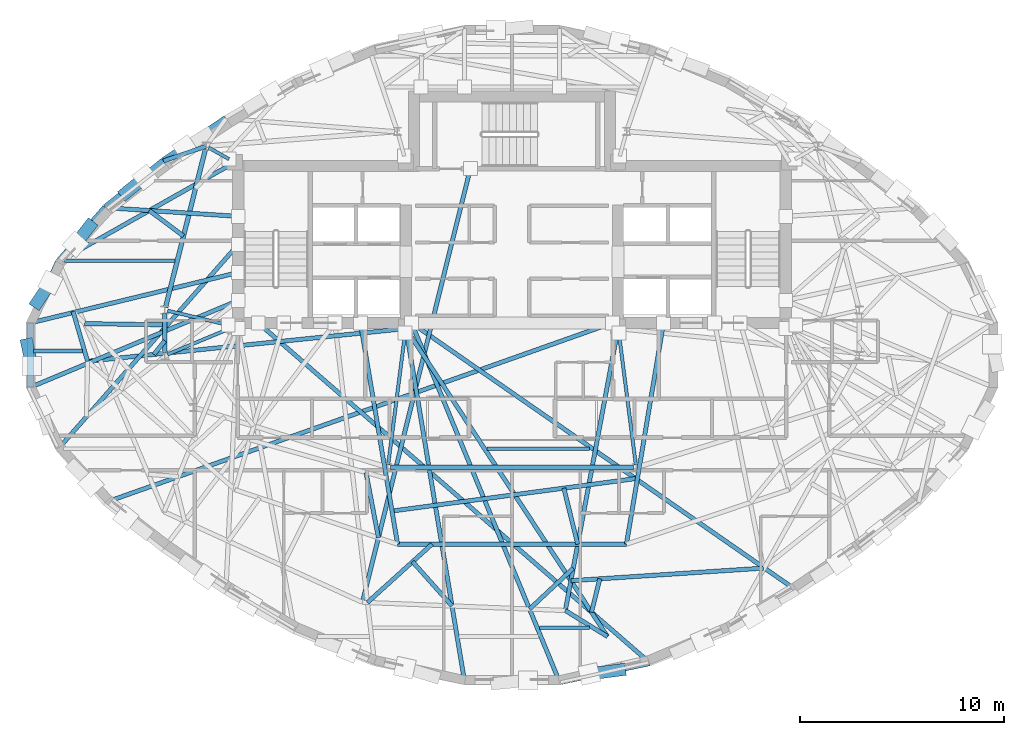
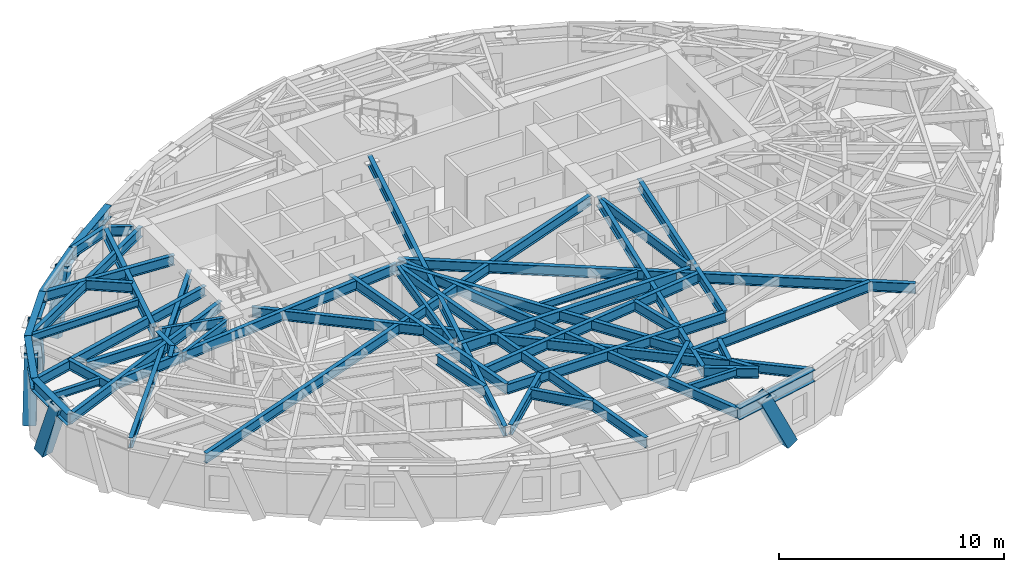
# One storey, part 2 of 13: 49 beams, 5 members.
"""IFC4 building model written with IfcOpenShell, lengths in metres."""

from ifc_helpers import new_model, si_unit, direction, frame, origin, origin_2d, place, context, subcontext, project, spatial, hollow_rectangle, i_section, extrude, material, material_profile, profile_set, type_object, element, save


model = new_model("IFC4")

# Units and contexts
model_context = context("Model", 3, precision=1e-05, world=origin(), true_north=direction((0.0, 1.0)))
body_context = subcontext(model_context, "Body", "Model", "MODEL_VIEW")
ifc_project = project(units=[si_unit("LENGTHUNIT", "METRE"), si_unit("AREAUNIT", "SQUARE_METRE"), si_unit("VOLUMEUNIT", "CUBIC_METRE"), si_unit("PLANEANGLEUNIT", "RADIAN"), si_unit("MASSUNIT", "GRAM", prefix="KILO")], contexts=[model_context])

# Site, building, storey
site_placement = place(None, origin())
site = spatial("IfcSite", under=ifc_project, at=site_placement, CompositionType="ELEMENT")
building_placement = place(site_placement, origin())
building = spatial("IfcBuilding", under=site, at=building_placement, Name="Keldmark Tower", CompositionType="ELEMENT")
storey_placement = place(building_placement, frame((0.0, 0.0, 210.0)))
storey = spatial("IfcBuildingStorey", under=building, at=storey_placement, Name="L58", CompositionType="ELEMENT", Elevation=210.0)

# Beams
ifc_material_1 = material(Name="Steel ASTM A992 Grade 50", Category="steel")
ifc_material_profile_1 = material_profile(ifc_material_1, i_section(OverallWidth=0.177978515625, OverallDepth=0.403076171875, WebThickness=0.007568359375, FlangeThickness=0.010986328125, at=origin_2d()), Name="W16X36")
ifc_profile_set_1 = profile_set([ifc_material_profile_1], Name="Steel ASTM A992 Grade 50")
beam_type_1 = type_object("IfcBeamType", Name="Composite Floor Joist W16X36", PredefinedType="JOIST", material=ifc_profile_set_1)
beam_1_placement = place(storey_placement, frame((1.34423828125, -13.3798828125, 2.7685546875), z_axis=(1.0, 0.0, 0.0), x_axis=(0.0, 1.0, 0.0)))
element("IfcBeam", 1, at=beam_1_placement, inside=storey, type_object=beam_type_1, Name="L58 Composite Floor Joist J04", PredefinedType="JOIST", context=body_context, shape_type="SweptSolid", body=[
    extrude(i_section(OverallWidth=0.177978515625, OverallDepth=0.403076171875, WebThickness=0.007568359375, FlangeThickness=0.010986328125, at=origin_2d()), origin(), (0.0, 0.0, 1.0), 2.4638671875),
])
beam_2_placement = place(storey_placement, frame((-1.224853515625, -4.60009765625, 2.7685546875), z_axis=(1.0, 0.0, 0.0), x_axis=(0.0, 1.0, 0.0)))
element("IfcBeam", 2, at=beam_2_placement, inside=storey, type_object=beam_type_1, Name="L58 Composite Floor Joist J06", PredefinedType="JOIST", context=body_context, shape_type="SweptSolid", body=[
    extrude(i_section(OverallWidth=0.177978515625, OverallDepth=0.403076171875, WebThickness=0.007568359375, FlangeThickness=0.010986328125, at=origin_2d()), origin(), (0.0, 0.0, 1.0), 5.01513671875),
])
beam_3_placement = place(storey_placement, frame((-23.45458984375, 0.199951171875, 2.7685546875), z_axis=(1.0, 0.0, 0.0), x_axis=(0.0, 1.0, 0.0)))
element("IfcBeam", 3, at=beam_3_placement, inside=storey, type_object=beam_type_1, Name="L58 Composite Floor Joist J07", PredefinedType="JOIST", context=body_context, shape_type="SweptSolid", body=[
    extrude(i_section(OverallWidth=0.177978515625, OverallDepth=0.403076171875, WebThickness=0.007568359375, FlangeThickness=0.010986328125, at=origin_2d()), origin(), (0.0, 0.0, 1.0), 2.394287109375),
])
beam_4_placement = place(storey_placement, frame((-21.951171875, 4.6201171875, 2.7685546875), z_axis=(1.0, 0.0, 0.0), x_axis=(0.0, 1.0, 0.0)))
element("IfcBeam", 4, at=beam_4_placement, inside=storey, type_object=beam_type_1, Name="L58 Composite Floor Joist J08", PredefinedType="JOIST", context=body_context, shape_type="SweptSolid", body=[
    extrude(i_section(OverallWidth=0.177978515625, OverallDepth=0.403076171875, WebThickness=0.007568359375, FlangeThickness=0.010986328125, at=origin_2d()), origin(), (0.0, 0.0, 1.0), 5.42626953125),
])

# Members
ifc_material_2 = material(Name="Steel ASTM A572 Grade 50", Category="steel")
ifc_material_profile_2 = material_profile(ifc_material_2, hollow_rectangle(XDim=0.60009765625, YDim=0.60009765625, WallThickness=0.034912109375, at=origin_2d()), Name="BOX600X600X35")
ifc_profile_set_2 = profile_set([ifc_material_profile_2], Name="Steel ASTM A572 Grade 50")
member_type = type_object("IfcMemberType", Name="Diagrid Zone 4 Brace BOX600X600X35", PredefinedType="BRACE", material=ifc_profile_set_2)
member_1_placement = place(storey_placement, frame((-18.940673828125, 7.9482421875, -0.260009765625), z_axis=(0.282566906812, 0.229708983494, 0.931337600485), x_axis=(-0.630796672763, 0.775948166846, 0.0)))
element("IfcMember", 5, at=member_1_placement, inside=storey, type_object=member_type, Name="L58 Perimeter Diagrid Brace 07A", PredefinedType="BRACE", context=body_context, shape_type="SweptSolid", body=[
    extrude(hollow_rectangle(XDim=0.60009765625, YDim=0.60009765625, WallThickness=0.034912109375, at=origin_2d()), origin(), (0.0, 0.0, 1.0), 3.33935546875),
])
member_2_placement = place(storey_placement, frame((-20.70703125, 6.3291015625, -0.260009765625), z_axis=(-0.213580141324, -0.271192997659, 0.938529637919), x_axis=(0.785614269888, -0.618716590167, 0.0)))
element("IfcMember", 6, at=member_2_placement, inside=storey, type_object=member_type, Name="L58 Perimeter Diagrid Brace 07B", PredefinedType="BRACE", context=body_context, shape_type="SweptSolid", body=[
    extrude(hollow_rectangle(XDim=0.60009765625, YDim=0.60009765625, WallThickness=0.034912109375, at=origin_2d()), origin(), (0.0, 0.0, 1.0), 3.313720703125),
])
member_3_placement = place(storey_placement, frame((-23.28662109375, 2.577880859375, -0.260009765625), z_axis=(0.196237076436, 0.294685980102, 0.935227877559), x_axis=(-0.832337294746, 0.554269454124, 0.0)))
element("IfcMember", 7, at=member_3_placement, inside=storey, type_object=member_type, Name="L58 Perimeter Diagrid Brace 08A", PredefinedType="BRACE", context=body_context, shape_type="SweptSolid", body=[
    extrude(hollow_rectangle(XDim=0.60009765625, YDim=0.60009765625, WallThickness=0.034912109375, at=origin_2d()), origin(), (0.0, 0.0, 1.0), 3.325439453125),
])
member_4_placement = place(storey_placement, frame((-23.7744140625, 0.52490234375, -0.260009765625), z_axis=(0.068370402706, -0.320866304241, 0.944653535873), x_axis=(0.978043233778, 0.208402094186, 0.0)))
element("IfcMember", 8, at=member_4_placement, inside=storey, type_object=member_type, Name="L58 Perimeter Diagrid Brace 08B", PredefinedType="BRACE", context=body_context, shape_type="SweptSolid", body=[
    extrude(hollow_rectangle(XDim=0.60009765625, YDim=0.60009765625, WallThickness=0.034912109375, at=origin_2d()), origin(), (0.0, 0.0, 1.0), 3.292236328125),
])
member_5_placement = place(storey_placement, frame((5.29931640625, -15.441162109375, -0.260009765625), z_axis=(-0.435283673901, -0.057971999343, 0.898424938727), x_axis=(0.132016439909, -0.991247526904, 0.0)))
element("IfcMember", 9, at=member_5_placement, inside=storey, type_object=member_type, Name="L58 Perimeter Diagrid Brace 13A", PredefinedType="BRACE", context=body_context, shape_type="SweptSolid", body=[
    extrude(hollow_rectangle(XDim=0.60009765625, YDim=0.60009765625, WallThickness=0.034912109375, at=origin_2d()), origin(), (0.0, 0.0, 1.0), 3.461669921875),
])

# Beams
ifc_material_3 = material(Name="Steel ASTM A992 Grade 50", Category="steel")
ifc_material_profile_3 = material_profile(ifc_material_3, i_section(OverallWidth=0.22802734375, OverallDepth=0.60302734375, WebThickness=0.010498046875, FlangeThickness=0.014892578125, at=origin_2d()), Name="W24X68")
ifc_profile_set_3 = profile_set([ifc_material_profile_3], Name="Steel ASTM A992 Grade 50")
beam_type_2 = type_object("IfcBeamType", Name="Primary Floor Girder W24X68", PredefinedType="BEAM", material=ifc_profile_set_3)
beam_5_placement = place(storey_placement, frame((-15.030029296875, 10.10791015625, 2.66845703125), z_axis=(-0.244902129455, -0.969547805417, 0.0), x_axis=(0.969547805417, -0.244902129455, 0.0)))
element("IfcBeam", 10, at=beam_5_placement, inside=storey, type_object=beam_type_2, Name="L58 Floor Ring Girder FG-R05", PredefinedType="BEAM", context=body_context, shape_type="SweptSolid", body=[
    extrude(i_section(OverallWidth=0.22802734375, OverallDepth=0.60302734375, WebThickness=0.010498046875, FlangeThickness=0.014892578125, at=origin_2d()), origin(), (0.0, 0.0, 1.0), 8.008056640625),
])
beam_6_placement = place(storey_placement, frame((-17.025634765625, 2.068115234375, 2.66845703125), z_axis=(0.0, -1.0, 0.0), x_axis=(1.0, 0.0, 0.0)))
element("IfcBeam", 11, at=beam_6_placement, inside=storey, type_object=beam_type_2, Name="L58 Floor Ring Girder FG-R06", PredefinedType="BEAM", context=body_context, shape_type="SweptSolid", body=[
    extrude(i_section(OverallWidth=0.22802734375, OverallDepth=0.60302734375, WebThickness=0.010498046875, FlangeThickness=0.014892578125, at=origin_2d()), origin(), (0.0, 0.0, 1.0), 1.9521484375),
])
beam_7_placement = place(storey_placement, frame((-5.949462890625, -5.512939453125, 2.66845703125), z_axis=(1.0, 0.0, 0.0), x_axis=(0.0, 1.0, 0.0)))
element("IfcBeam", 12, at=beam_7_placement, inside=storey, type_object=beam_type_2, Name="L58 Floor Ring Girder FG-R09", PredefinedType="BEAM", context=body_context, shape_type="SweptSolid", body=[
    extrude(i_section(OverallWidth=0.22802734375, OverallDepth=0.60302734375, WebThickness=0.010498046875, FlangeThickness=0.014892578125, at=origin_2d()), origin(), (0.0, 0.0, 1.0), 11.89892578125),
])
ifc_material_4 = material(Name="Steel ASTM A992 Grade 50", Category="steel")
ifc_material_profile_4 = material_profile(ifc_material_4, i_section(OverallWidth=0.166015625, OverallDepth=0.529052734375, WebThickness=0.009765625, FlangeThickness=0.013671875, at=origin_2d()), Name="W21X50")
ifc_profile_set_4 = profile_set([ifc_material_profile_4], Name="Steel ASTM A992 Grade 50")
beam_type_3 = type_object("IfcBeamType", Name="Radial Tie Girder W21X50", PredefinedType="BEAM", material=ifc_profile_set_4)
beam_8_placement = place(storey_placement, frame((-14.8740234375, 10.174560546875, 2.70556640625), z_axis=(0.869238046195, -0.494393789451, 0.0), x_axis=(0.494393789451, 0.869238046195, 0.0)))
element("IfcBeam", 13, at=beam_8_placement, inside=storey, type_object=beam_type_3, Name="L58 Floor Radial Girder FG-C05", PredefinedType="BEAM", context=body_context, shape_type="SweptSolid", body=[
    extrude(i_section(OverallWidth=0.166015625, OverallDepth=0.529052734375, WebThickness=0.009765625, FlangeThickness=0.013671875, at=origin_2d()), origin(), (0.0, 0.0, 1.0), 1.145751953125),
])
beam_9_placement = place(storey_placement, frame((-16.889404296875, 2.17578125, 2.70556640625), z_axis=(0.97329039005, -0.229577474147, 0.0), x_axis=(0.229577474147, 0.97329039005, 0.0)))
element("IfcBeam", 14, at=beam_9_placement, inside=storey, type_object=beam_type_3, Name="L58 Floor Radial Girder FG-C06", PredefinedType="BEAM", context=body_context, shape_type="SweptSolid", body=[
    extrude(i_section(OverallWidth=0.166015625, OverallDepth=0.529052734375, WebThickness=0.009765625, FlangeThickness=0.013671875, at=origin_2d()), origin(), (0.0, 0.0, 1.0), 3.0595703125),
])
beam_10_placement = place(storey_placement, frame((-16.896240234375, 0.02978515625, 2.70556640625), z_axis=(0.923403331902, 0.383831065226, 0.0), x_axis=(-0.383831065226, 0.923403331902, 0.0)))
element("IfcBeam", 15, at=beam_10_placement, inside=storey, type_object=beam_type_3, Name="L58 Floor Radial Girder FG-C07", PredefinedType="BEAM", context=body_context, shape_type="SweptSolid", body=[
    extrude(i_section(OverallWidth=0.166015625, OverallDepth=0.529052734375, WebThickness=0.009765625, FlangeThickness=0.013671875, at=origin_2d()), origin(), (0.0, 0.0, 1.0), 3.249755859375),
])
for number, where, z_axis, x_axis, name in (
    (16, (-6.071533203125, -5.3740234375, 2.70556640625), (0.127625044513, 0.991822488157, 0.0), (-0.991822488157, 0.127625044513, 0.0), "L58 Floor Radial Girder FG-C09"),
    (17, (6.071533203125, -5.3740234375, 2.70556640625), (-0.127625044513, 0.991822488157, 0.0), (-0.991822488157, -0.127625044513, 0.0), "L58 Floor Radial Girder FG-C10"),
):
    element("IfcBeam", number, at=place(storey_placement, frame(where, z_axis=z_axis, x_axis=x_axis)), inside=storey, type_object=beam_type_3, Name=name, PredefinedType="BEAM", context=body_context, shape_type="SweptSolid", body=[
        extrude(i_section(OverallWidth=0.166015625, OverallDepth=0.529052734375, WebThickness=0.009765625, FlangeThickness=0.013671875, at=origin_2d()), origin(), (0.0, 0.0, 1.0), 6.509765625),
    ])
ifc_material_5 = material(Name="Steel ASTM A992 Grade 50", Category="steel")
ifc_material_profile_5 = material_profile(ifc_material_5, i_section(OverallWidth=0.2099609375, OverallDepth=0.537109375, WebThickness=0.010986328125, FlangeThickness=0.017333984375, at=origin_2d()), Name="W21X68")
ifc_profile_set_5 = profile_set([ifc_material_profile_5], Name="Steel ASTM A992 Grade 50")
beam_type_4 = type_object("IfcBeamType", Name="Radial Tie Girder W21X68", PredefinedType="BEAM", material=ifc_profile_set_5)
beam_11_placement = place(storey_placement, frame((-17.025634765625, 0.70166015625, 2.701416015625), z_axis=(-0.623584243091, -0.781756158766, 0.0), x_axis=(0.781756158766, -0.623584243091, 0.0)))
element("IfcBeam", 18, at=beam_11_placement, inside=storey, type_object=beam_type_4, Name="L58 Framing Pin Header PH-001", PredefinedType="BEAM", context=body_context, shape_type="SweptSolid", body=[
    extrude(i_section(OverallWidth=0.2099609375, OverallDepth=0.537109375, WebThickness=0.010986328125, FlangeThickness=0.017333984375, at=origin_2d()), origin(), (0.0, 0.0, 1.0), 0.858154296875),
])
beam_12_placement = place(storey_placement, frame((-5.199951171875, 1.300048828125, 2.701416015625), z_axis=(-0.994769409136, -0.102146084839, 0.0), x_axis=(0.102146084839, -0.994769409136, 0.0)))
element("IfcBeam", 19, at=beam_12_placement, inside=storey, type_object=beam_type_4, Name="L58 Sub-Ring Step Girder STP1-M07", PredefinedType="BEAM", context=body_context, shape_type="SweptSolid", body=[
    extrude(i_section(OverallWidth=0.2099609375, OverallDepth=0.537109375, WebThickness=0.010986328125, FlangeThickness=0.017333984375, at=origin_2d()), origin(), (0.0, 0.0, 1.0), 15.69580078125),
])
beam_13_placement = place(storey_placement, frame((-7.43212890625, 1.574951171875, 2.701416015625), z_axis=(0.165575336656, -0.986197144536, 0.0), x_axis=(0.986197144536, 0.165575336656, 0.0)))
element("IfcBeam", 20, at=beam_13_placement, inside=storey, type_object=beam_type_4, Name="L58 Sub-Ring Step Girder STP1-M09", PredefinedType="BEAM", context=body_context, shape_type="SweptSolid", body=[
    extrude(i_section(OverallWidth=0.2099609375, OverallDepth=0.537109375, WebThickness=0.010986328125, FlangeThickness=0.017333984375, at=origin_2d()), origin(), (0.0, 0.0, 1.0), 11.004150390625),
])
beam_14_placement = place(storey_placement, frame((-5.88330078125, -7.6494140625, 2.701416015625), z_axis=(0.991241592519, 0.132060990683, 0.0), x_axis=(-0.132060990683, 0.991241592519, 0.0)))
element("IfcBeam", 21, at=beam_14_placement, inside=storey, type_object=beam_type_4, Name="L58 Framing Pin Header PH-004", PredefinedType="BEAM", context=body_context, shape_type="SweptSolid", body=[
    extrude(i_section(OverallWidth=0.2099609375, OverallDepth=0.537109375, WebThickness=0.010986328125, FlangeThickness=0.017333984375, at=origin_2d()), origin(), (0.0, 0.0, 1.0), 12.142333984375),
])
beam_15_placement = place(storey_placement, frame((7.43212890625, 1.574951171875, 2.701416015625), z_axis=(-0.165575336656, -0.986197144536, 0.0), x_axis=(0.986197144536, -0.165575336656, 0.0)))
element("IfcBeam", 22, at=beam_15_placement, inside=storey, type_object=beam_type_4, Name="L58 Sub-Ring Step Girder STP1-M10", PredefinedType="BEAM", context=body_context, shape_type="SweptSolid", body=[
    extrude(i_section(OverallWidth=0.2099609375, OverallDepth=0.537109375, WebThickness=0.010986328125, FlangeThickness=0.017333984375, at=origin_2d()), origin(), (0.0, 0.0, 1.0), 11.004150390625),
])
beam_16_placement = place(storey_placement, frame((-5.610107421875, -9.27734375, 2.701416015625), z_axis=(1.0, 0.0, 0.0), x_axis=(0.0, 1.0, 0.0)))
element("IfcBeam", 23, at=beam_16_placement, inside=storey, type_object=beam_type_4, Name="L58 Perimeter Collector Ring Beam CRG1-M09", PredefinedType="BEAM", context=body_context, shape_type="SweptSolid", body=[
    extrude(i_section(OverallWidth=0.2099609375, OverallDepth=0.537109375, WebThickness=0.010986328125, FlangeThickness=0.017333984375, at=origin_2d()), origin(), (0.0, 0.0, 1.0), 11.22021484375),
])
beam_17_placement = place(storey_placement, frame((-7.1591796875, -5.760986328125, 2.701416015625), z_axis=(0.186767701397, -0.982404105099, 0.0), x_axis=(0.982404105099, 0.186767701397, 0.0)))
element("IfcBeam", 24, at=beam_17_placement, inside=storey, type_object=beam_type_4, Name="L58 Framing Pin Header PH-008", PredefinedType="BEAM", context=body_context, shape_type="SweptSolid", body=[
    extrude(i_section(OverallWidth=0.2099609375, OverallDepth=0.537109375, WebThickness=0.010986328125, FlangeThickness=0.017333984375, at=origin_2d()), origin(), (0.0, 0.0, 1.0), 3.257568359375),
])
beam_18_placement = place(storey_placement, frame((-2.04296875, 9.139892578125, 2.701416015625), z_axis=(-0.241662625446, -0.970360332795, 0.0), x_axis=(0.970360332795, -0.241662625446, 0.0)))
element("IfcBeam", 25, at=beam_18_placement, inside=storey, type_object=beam_type_4, Name="L58 Sub-Ring Step Girder STP2-M09", PredefinedType="BEAM", context=body_context, shape_type="SweptSolid", body=[
    extrude(i_section(OverallWidth=0.2099609375, OverallDepth=0.537109375, WebThickness=0.010986328125, FlangeThickness=0.017333984375, at=origin_2d()), origin(), (0.0, 0.0, 1.0), 21.91455078125),
])
beam_19_placement = place(storey_placement, frame((2.541748046875, -6.527099609375, 2.701416015625), z_axis=(0.240487391429, -0.970652262432, 0.0), x_axis=(0.970652262432, 0.240487391429, 0.0)))
element("IfcBeam", 26, at=beam_19_placement, inside=storey, type_object=beam_type_4, Name="L58 Framing Pin Header PH-009", PredefinedType="BEAM", context=body_context, shape_type="SweptSolid", body=[
    extrude(i_section(OverallWidth=0.2099609375, OverallDepth=0.537109375, WebThickness=0.010986328125, FlangeThickness=0.017333984375, at=origin_2d()), origin(), (0.0, 0.0, 1.0), 2.83349609375),
])
beam_20_placement = place(storey_placement, frame((5.199951171875, 1.300048828125, 2.701416015625), z_axis=(-0.183711111904, -0.982980278217, 0.0), x_axis=(0.982980278217, -0.183711111904, 0.0)))
element("IfcBeam", 27, at=beam_20_placement, inside=storey, type_object=beam_type_4, Name="L58 Sub-Ring Step Girder STP2-M10", PredefinedType="BEAM", context=body_context, shape_type="SweptSolid", body=[
    extrude(i_section(OverallWidth=0.2099609375, OverallDepth=0.537109375, WebThickness=0.010986328125, FlangeThickness=0.017333984375, at=origin_2d()), origin(), (0.0, 0.0, 1.0), 14.06689453125),
])
beam_21_placement = place(storey_placement, frame((-14.995849609375, 10.24365234375, 2.701416015625), z_axis=(-0.944928607825, -0.327276528512, 0.0), x_axis=(0.327276528512, -0.944928607825, 0.0)))
element("IfcBeam", 28, at=beam_21_placement, inside=storey, type_object=beam_type_4, Name="L58 Perimeter Column Bracket RT-13", PredefinedType="BEAM", context=body_context, shape_type="SweptSolid", body=[
    extrude(i_section(OverallWidth=0.2099609375, OverallDepth=0.537109375, WebThickness=0.010986328125, FlangeThickness=0.017333984375, at=origin_2d()), origin(), (0.0, 0.0, 1.0), 2.222900390625),
])
beam_22_placement = place(storey_placement, frame((-20.813720703125, -0.30322265625, 2.701416015625), z_axis=(-0.27933920898, 0.960192483998, 0.0), x_axis=(-0.960192483998, -0.27933920898, 0.0)))
element("IfcBeam", 29, at=beam_22_placement, inside=storey, type_object=beam_type_4, Name="L58 Local Collector Chord RT-15C", PredefinedType="BEAM", context=body_context, shape_type="SweptSolid", body=[
    extrude(i_section(OverallWidth=0.2099609375, OverallDepth=0.537109375, WebThickness=0.010986328125, FlangeThickness=0.017333984375, at=origin_2d()), origin(), (0.0, 0.0, 1.0), 2.539794921875),
])
beam_23_placement = place(storey_placement, frame((-17.025634765625, 1.482421875, 2.701416015625), z_axis=(-0.999886813958, 0.015045240874, 0.0), x_axis=(-0.015045240874, -0.999886813958, 0.0)))
element("IfcBeam", 30, at=beam_23_placement, inside=storey, type_object=beam_type_4, Name="L58 Framing Pin Header PH-017", PredefinedType="BEAM", context=body_context, shape_type="SweptSolid", body=[
    extrude(i_section(OverallWidth=0.2099609375, OverallDepth=0.537109375, WebThickness=0.010986328125, FlangeThickness=0.017333984375, at=origin_2d()), origin(), (0.0, 0.0, 1.0), 3.927001953125),
])
beam_24_placement = place(storey_placement, frame((-13.425048828125, 4.050048828125, 2.701416015625), z_axis=(-0.971761946005, -0.235963387618, 0.0), x_axis=(0.235963387618, -0.971761946005, 0.0)))
element("IfcBeam", 31, at=beam_24_placement, inside=storey, type_object=beam_type_4, Name="L58 Perimeter Radial Tie Girder RT-16", PredefinedType="BEAM", context=body_context, shape_type="SweptSolid", body=[
    extrude(i_section(OverallWidth=0.2099609375, OverallDepth=0.537109375, WebThickness=0.010986328125, FlangeThickness=0.017333984375, at=origin_2d()), origin(), (0.0, 0.0, 1.0), 10.47998046875),
])
beam_25_placement = place(storey_placement, frame((-13.425048828125, 2.675048828125, 2.701416015625), z_axis=(-0.922792621006, -0.385297000529, 0.0), x_axis=(0.385297000529, -0.922792621006, 0.0)))
element("IfcBeam", 32, at=beam_25_placement, inside=storey, type_object=beam_type_4, Name="L58 Perimeter Radial Tie Girder RT-17", PredefinedType="BEAM", context=body_context, shape_type="SweptSolid", body=[
    extrude(i_section(OverallWidth=0.2099609375, OverallDepth=0.537109375, WebThickness=0.010986328125, FlangeThickness=0.017333984375, at=origin_2d()), origin(), (0.0, 0.0, 1.0), 11.0361328125),
])
beam_26_placement = place(storey_placement, frame((-13.425048828125, 5.425048828125, 2.701416015625), z_axis=(-0.660977242684, -0.750405946574, 0.0), x_axis=(0.750405946574, -0.660977242684, 0.0)))
element("IfcBeam", 33, at=beam_26_placement, inside=storey, type_object=beam_type_4, Name="L58 Perimeter Radial Tie Girder RT-18", PredefinedType="BEAM", context=body_context, shape_type="SweptSolid", body=[
    extrude(i_section(OverallWidth=0.2099609375, OverallDepth=0.537109375, WebThickness=0.010986328125, FlangeThickness=0.017333984375, at=origin_2d()), origin(), (0.0, 0.0, 1.0), 13.3251953125),
])
beam_27_placement = place(storey_placement, frame((4.925048828125, 1.574951171875, 2.701416015625), z_axis=(-0.942660052288, -0.333754439401, 0.0), x_axis=(0.333754439401, -0.942660052288, 0.0)))
element("IfcBeam", 34, at=beam_27_placement, inside=storey, type_object=beam_type_4, Name="L58 Perimeter Radial Tie Girder RT-19", PredefinedType="BEAM", context=body_context, shape_type="SweptSolid", body=[
    extrude(i_section(OverallWidth=0.2099609375, OverallDepth=0.537109375, WebThickness=0.010986328125, FlangeThickness=0.017333984375, at=origin_2d()), origin(), (0.0, 0.0, 1.0), 26.375),
])
beam_28_placement = place(storey_placement, frame((-3.927001953125, -9.27734375, 2.701416015625), z_axis=(-0.741710860068, -0.670719762685, 0.0), x_axis=(0.670719762685, -0.741710860068, 0.0)))
element("IfcBeam", 35, at=beam_28_placement, inside=storey, type_object=beam_type_4, Name="L58 Framing Pin Header PH-023", PredefinedType="BEAM", context=body_context, shape_type="SweptSolid", body=[
    extrude(i_section(OverallWidth=0.2099609375, OverallDepth=0.537109375, WebThickness=0.010986328125, FlangeThickness=0.017333984375, at=origin_2d()), origin(), (0.0, 0.0, 1.0), 4.260986328125),
])
beam_29_placement = place(storey_placement, frame((-4.875244140625, -10.134765625, 2.701416015625), z_axis=(0.665661650956, -0.746253687727, 0.0), x_axis=(0.746253687727, 0.665661650956, 0.0)))
element("IfcBeam", 36, at=beam_29_placement, inside=storey, type_object=beam_type_4, Name="L58 Framing Pin Header PH-024", PredefinedType="BEAM", context=body_context, shape_type="SweptSolid", body=[
    extrude(i_section(OverallWidth=0.2099609375, OverallDepth=0.537109375, WebThickness=0.010986328125, FlangeThickness=0.017333984375, at=origin_2d()), origin(), (0.0, 0.0, 1.0), 2.905029296875),
])
beam_30_placement = place(storey_placement, frame((-5.199951171875, 1.300048828125, 2.701416015625), z_axis=(0.163805659053, -0.986492628488, 0.0), x_axis=(0.986492628488, 0.163805659053, 0.0)))
element("IfcBeam", 37, at=beam_30_placement, inside=storey, type_object=beam_type_4, Name="L58 Perimeter Radial Tie Girder RT-24", PredefinedType="BEAM", context=body_context, shape_type="SweptSolid", body=[
    extrude(i_section(OverallWidth=0.2099609375, OverallDepth=0.537109375, WebThickness=0.010986328125, FlangeThickness=0.017333984375, at=origin_2d()), origin(), (0.0, 0.0, 1.0), 17.5498046875),
])
beam_31_placement = place(storey_placement, frame((3.00341796875, -10.453369140625, 2.701416015625), z_axis=(-0.73074528215, -0.682650227141, 0.0), x_axis=(0.682650227141, -0.73074528215, 0.0)))
element("IfcBeam", 38, at=beam_31_placement, inside=storey, type_object=beam_type_4, Name="L58 Framing Pin Header PH-025", PredefinedType="BEAM", context=body_context, shape_type="SweptSolid", body=[
    extrude(i_section(OverallWidth=0.2099609375, OverallDepth=0.537109375, WebThickness=0.010986328125, FlangeThickness=0.017333984375, at=origin_2d()), origin(), (0.0, 0.0, 1.0), 2.93408203125),
])
beam_32_placement = place(storey_placement, frame((-4.925048828125, 1.574951171875, 2.701416015625), z_axis=(0.381121571283, -0.924524930925, 0.0), x_axis=(0.924524930925, 0.381121571283, 0.0)))
element("IfcBeam", 39, at=beam_32_placement, inside=storey, type_object=beam_type_4, Name="L58 Perimeter Radial Tie Girder RT-25", PredefinedType="BEAM", context=body_context, shape_type="SweptSolid", body=[
    extrude(i_section(OverallWidth=0.2099609375, OverallDepth=0.537109375, WebThickness=0.010986328125, FlangeThickness=0.017333984375, at=origin_2d()), origin(), (0.0, 0.0, 1.0), 19.0234375),
])
beam_33_placement = place(storey_placement, frame((12.32470703125, -10.44921875, 2.701416015625), z_axis=(-0.997874379426, -0.065166884879, 0.0), x_axis=(0.065166884879, -0.997874379426, 0.0)))
element("IfcBeam", 40, at=beam_33_placement, inside=storey, type_object=beam_type_4, Name="L58 Framing Pin Header PH-026", PredefinedType="BEAM", context=body_context, shape_type="SweptSolid", body=[
    extrude(i_section(OverallWidth=0.2099609375, OverallDepth=0.537109375, WebThickness=0.010986328125, FlangeThickness=0.017333984375, at=origin_2d()), origin(), (0.0, 0.0, 1.0), 9.455810546875),
])
beam_34_placement = place(storey_placement, frame((-5.199951171875, 1.300048828125, 2.701416015625), z_axis=(0.547430492378, -0.836851155233, 0.0), x_axis=(0.836851155233, 0.547430492378, 0.0)))
element("IfcBeam", 41, at=beam_34_placement, inside=storey, type_object=beam_type_4, Name="L58 Intermediate Radial Step Girder RT-26M", PredefinedType="BEAM", context=body_context, shape_type="SweptSolid", body=[
    extrude(i_section(OverallWidth=0.2099609375, OverallDepth=0.537109375, WebThickness=0.010986328125, FlangeThickness=0.017333984375, at=origin_2d()), origin(), (0.0, 0.0, 1.0), 18.0478515625),
])
beam_35_placement = place(storey_placement, frame((2.61572265625, -12.52734375, 2.701416015625), z_axis=(0.850627293259, -0.525769158436, 0.0), x_axis=(0.525769158436, 0.850627293259, 0.0)))
element("IfcBeam", 42, at=beam_35_placement, inside=storey, type_object=beam_type_4, Name="L58 Local Collector Chord RT-26C", PredefinedType="BEAM", context=body_context, shape_type="SweptSolid", body=[
    extrude(i_section(OverallWidth=0.2099609375, OverallDepth=0.537109375, WebThickness=0.010986328125, FlangeThickness=0.017333984375, at=origin_2d()), origin(), (0.0, 0.0, 1.0), 2.4267578125),
])
beam_36_placement = place(storey_placement, frame((4.304443359375, -10.97314453125, 2.701416015625), z_axis=(-0.239844119608, -0.970811412319, 0.0), x_axis=(0.970811412319, -0.239844119608, 0.0)))
element("IfcBeam", 43, at=beam_36_placement, inside=storey, type_object=beam_type_4, Name="L58 Framing Pin Header PH-027", PredefinedType="BEAM", context=body_context, shape_type="SweptSolid", body=[
    extrude(i_section(OverallWidth=0.2099609375, OverallDepth=0.537109375, WebThickness=0.010986328125, FlangeThickness=0.017333984375, at=origin_2d()), origin(), (0.0, 0.0, 1.0), 1.686767578125),
])
beam_37_placement = place(storey_placement, frame((-12.4462890625, 1.574951171875, 2.701416015625), z_axis=(0.755253638763, -0.655432636611, 0.0), x_axis=(0.655432636611, 0.755253638763, 0.0)))
element("IfcBeam", 44, at=beam_37_placement, inside=storey, type_object=beam_type_4, Name="L58 Perimeter Radial Tie Girder RT-26", PredefinedType="BEAM", context=body_context, shape_type="SweptSolid", body=[
    extrude(i_section(OverallWidth=0.2099609375, OverallDepth=0.537109375, WebThickness=0.010986328125, FlangeThickness=0.017333984375, at=origin_2d()), origin(), (0.0, 0.0, 1.0), 25.4091796875),
])
beam_38_placement = place(storey_placement, frame((-4.925048828125, 1.574951171875, 2.701416015625), z_axis=(0.821234907533, -0.570590244089, 0.0), x_axis=(0.570590244089, 0.821234907533, 0.0)))
element("IfcBeam", 45, at=beam_38_placement, inside=storey, type_object=beam_type_4, Name="L58 Perimeter Radial Tie Girder RT-28", PredefinedType="BEAM", context=body_context, shape_type="SweptSolid", body=[
    extrude(i_section(OverallWidth=0.2099609375, OverallDepth=0.537109375, WebThickness=0.010986328125, FlangeThickness=0.017333984375, at=origin_2d()), origin(), (0.0, 0.0, 1.0), 23.08203125),
])
beam_39_placement = place(storey_placement, frame((-13.60009765625, 9.449951171875, 2.701416015625), z_axis=(-0.870715979664, -0.491786216518, 0.0), x_axis=(0.491786216518, -0.870715979664, 0.0)))
element("IfcBeam", 46, at=beam_39_placement, inside=storey, type_object=beam_type_4, Name="L58 Straddling Support Chord RT-14RB", PredefinedType="BEAM", context=body_context, shape_type="SweptSolid", body=[
    extrude(i_section(OverallWidth=0.2099609375, OverallDepth=0.537109375, WebThickness=0.010986328125, FlangeThickness=0.017333984375, at=origin_2d()), origin(), (0.0, 0.0, 1.0), 9.914306640625),
])
beam_40_placement = place(storey_placement, frame((-16.10888671875, 5.837646484375, 2.701416015625), z_axis=(-0.801846610761, 0.597529926289, 0.0), x_axis=(-0.597529926289, -0.801846610761, 0.0)))
element("IfcBeam", 47, at=beam_40_placement, inside=storey, type_object=beam_type_4, Name="L58 Framing Pin Header PH-035", PredefinedType="BEAM", context=body_context, shape_type="SweptSolid", body=[
    extrude(i_section(OverallWidth=0.2099609375, OverallDepth=0.537109375, WebThickness=0.010986328125, FlangeThickness=0.017333984375, at=origin_2d()), origin(), (0.0, 0.0, 1.0), 2.08984375),
])
beam_41_placement = place(storey_placement, frame((-13.425048828125, 6.800048828125, 2.701416015625), z_axis=(-0.997850056585, 0.065538268009, 0.0), x_axis=(-0.065538268009, -0.997850056585, 0.0)))
element("IfcBeam", 48, at=beam_41_placement, inside=storey, type_object=beam_type_4, Name="L58 Perimeter Radial Tie Girder RT-14R", PredefinedType="BEAM", context=body_context, shape_type="SweptSolid", body=[
    extrude(i_section(OverallWidth=0.2099609375, OverallDepth=0.537109375, WebThickness=0.010986328125, FlangeThickness=0.017333984375, at=origin_2d()), origin(), (0.0, 0.0, 1.0), 6.5263671875),
])
ifc_material_6 = material(Name="Steel ASTM A992 Grade 50", Category="steel")
ifc_material_profile_6 = material_profile(ifc_material_6, i_section(OverallWidth=0.326904296875, OverallDepth=0.6220703125, WebThickness=0.015380859375, FlangeThickness=0.0244140625, at=origin_2d()), Name="W24X131")
ifc_profile_set_6 = profile_set([ifc_material_profile_6], Name="Steel ASTM A992 Grade 50")
beam_type_5 = type_object("IfcBeamType", Name="Spandrel Ring Beam W24X131", PredefinedType="SPANDREL", material=ifc_profile_set_6)
beam_42_placement = place(storey_placement, frame((-14.03076171875, 11.595458984375, 2.658935546875), z_axis=(-0.827592777121, -0.561328954586, 0.0), x_axis=(0.561328954586, -0.827592777121, 0.0)))
element("IfcBeam", 49, at=beam_42_placement, inside=storey, type_object=beam_type_5, Name="L58 Perimeter Spandrel Ring Beam SRB-12", PredefinedType="SPANDREL", context=body_context, shape_type="SweptSolid", body=[
    extrude(i_section(OverallWidth=0.326904296875, OverallDepth=0.6220703125, WebThickness=0.015380859375, FlangeThickness=0.0244140625, at=origin_2d()), origin(), (0.0, 0.0, 1.0), 3.704345703125),
])
beam_43_placement = place(storey_placement, frame((-17.096435546875, 9.51611328125, 2.658935546875), z_axis=(-0.778794775864, -0.627278803314, 0.0), x_axis=(0.627278803314, -0.778794775864, 0.0)))
element("IfcBeam", 50, at=beam_43_placement, inside=storey, type_object=beam_type_5, Name="L58 Perimeter Spandrel Ring Beam SRB-13", PredefinedType="SPANDREL", context=body_context, shape_type="SweptSolid", body=[
    extrude(i_section(OverallWidth=0.326904296875, OverallDepth=0.6220703125, WebThickness=0.015380859375, FlangeThickness=0.0244140625, at=origin_2d()), origin(), (0.0, 0.0, 1.0), 3.64794921875),
])
beam_44_placement = place(storey_placement, frame((-19.9375, 7.227783203125, 2.658935546875), z_axis=(-0.654183134366, -0.756336186302, 0.0), x_axis=(0.756336186302, -0.654183134366, 0.0)))
element("IfcBeam", 51, at=beam_44_placement, inside=storey, type_object=beam_type_5, Name="L58 Perimeter Spandrel Ring Beam SRB-14", PredefinedType="SPANDREL", context=body_context, shape_type="SweptSolid", body=[
    extrude(i_section(OverallWidth=0.326904296875, OverallDepth=0.6220703125, WebThickness=0.015380859375, FlangeThickness=0.0244140625, at=origin_2d()), origin(), (0.0, 0.0, 1.0), 3.508544921875),
])
beam_45_placement = place(storey_placement, frame((-22.232666015625, 4.57421875, 2.658935546875), z_axis=(-0.417358097416, -0.908742107818, 0.0), x_axis=(0.908742107818, -0.417358097416, 0.0)))
element("IfcBeam", 52, at=beam_45_placement, inside=storey, type_object=beam_type_5, Name="L58 Perimeter Spandrel Ring Beam SRB-15", PredefinedType="SPANDREL", context=body_context, shape_type="SweptSolid", body=[
    extrude(i_section(OverallWidth=0.326904296875, OverallDepth=0.6220703125, WebThickness=0.015380859375, FlangeThickness=0.0244140625, at=origin_2d()), origin(), (0.0, 0.0, 1.0), 3.298095703125),
])
beam_46_placement = place(storey_placement, frame((-23.609130859375, 1.5771484375, 2.658935546875), z_axis=(0.0, -1.0, 0.0), x_axis=(1.0, 0.0, 0.0)))
element("IfcBeam", 53, at=beam_46_placement, inside=storey, type_object=beam_type_5, Name="L58 Perimeter Spandrel Ring Beam SRB-16", PredefinedType="SPANDREL", context=body_context, shape_type="SweptSolid", body=[
    extrude(i_section(OverallWidth=0.326904296875, OverallDepth=0.6220703125, WebThickness=0.015380859375, FlangeThickness=0.0244140625, at=origin_2d()), origin(), (0.0, 0.0, 1.0), 3.154296875),
])
beam_47_placement = place(storey_placement, frame((2.3251953125, -16.0126953125, 2.658935546875), z_axis=(0.97840271225, 0.206707843737, 0.0), x_axis=(-0.206707843737, 0.97840271225, 0.0)))
element("IfcBeam", 54, at=beam_47_placement, inside=storey, type_object=beam_type_5, Name="L58 Perimeter Spandrel Ring Beam SRB-25", PredefinedType="SPANDREL", context=body_context, shape_type="SweptSolid", body=[
    extrude(i_section(OverallWidth=0.326904296875, OverallDepth=0.6220703125, WebThickness=0.015380859375, FlangeThickness=0.0244140625, at=origin_2d()), origin(), (0.0, 0.0, 1.0), 4.5166015625),
])

save(model, "model.ifc")
